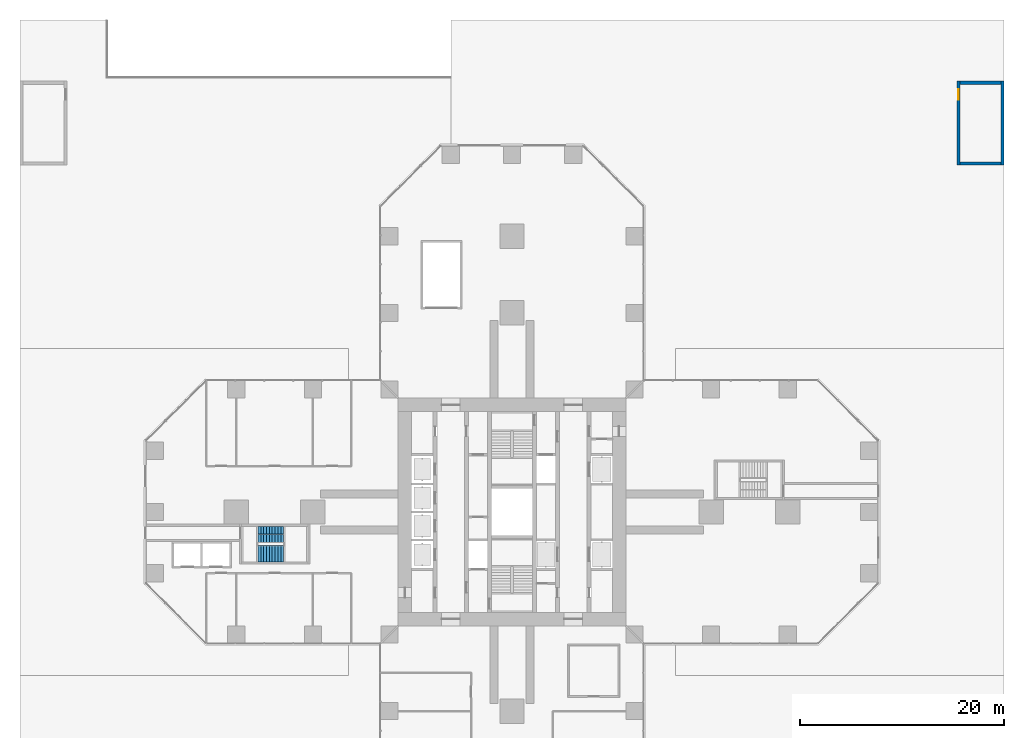
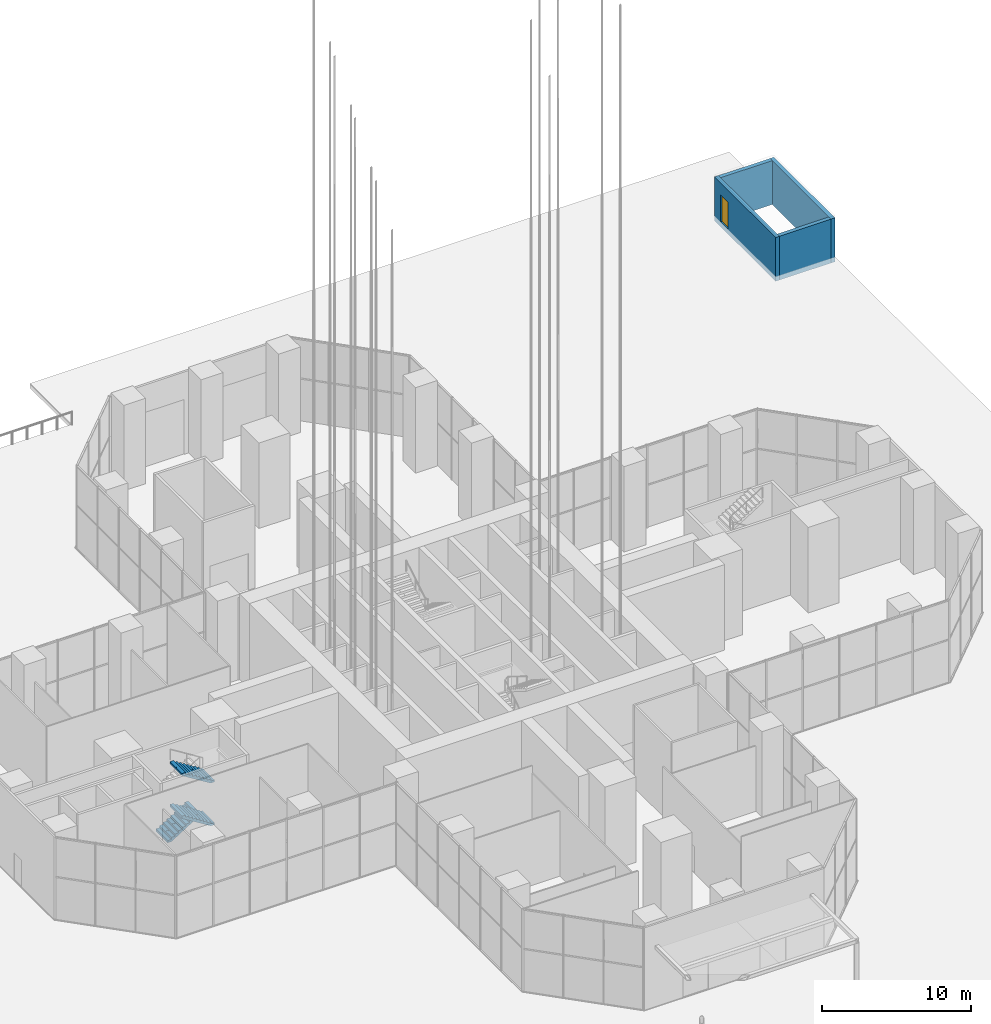
# One storey, part 22 of 43: 4 walls, 3 stair flights, 1 door, 1 opening, 1 element without a shape of its own.
"""IFC4 building model written with IfcOpenShell, lengths in metres."""

from ifc_helpers import new_model, si_unit, direction, frame, frame_2d, origin, place, context, subcontext, project, spatial, polyline, rectangle, outline, extrude, material, layer, layer_set, type_object, element, fill, aggregate, save


model = new_model("IFC4")

# Units and contexts
model_context = context("Model", 3, precision=1e-05, world=origin(), true_north=direction((0.0, 1.0)))
body_context = subcontext(model_context, "Body", "Model", "MODEL_VIEW")
ifc_project = project(units=[si_unit("LENGTHUNIT", "METRE"), si_unit("AREAUNIT", "SQUARE_METRE"), si_unit("VOLUMEUNIT", "CUBIC_METRE"), si_unit("PLANEANGLEUNIT", "RADIAN"), si_unit("MASSUNIT", "GRAM", prefix="KILO")], contexts=[model_context])

# Site, building, storey
site_placement = place(None, origin())
site = spatial("IfcSite", under=ifc_project, at=site_placement, CompositionType="ELEMENT")
building_placement = place(site_placement, origin())
building = spatial("IfcBuilding", under=site, at=building_placement, Name="Mizan Broadcast Tower", CompositionType="ELEMENT")
storey_placement = place(building_placement, origin())
storey = spatial("IfcBuildingStorey", under=building, at=storey_placement, Name="L00", CompositionType="ELEMENT", Elevation=0.0)

# Wall, opening, door
ifc_material_1 = material(Name="Concrete C40/50", Category="concrete")
ifc_layer = layer(ifc_material_1, 0.300048828125)
ifc_layer_set = layer_set([ifc_layer], Name="Concrete C40/50")
wall_type = type_object("IfcWallType", Name="STAIR SHAFT WALL 300 RC", PredefinedType="SOLIDWALL", material=ifc_layer_set)
wall_1_placement = place(storey_placement, frame((43.75, 42.199951171875, -0.39990234375), z_axis=(0.0, 0.0, 1.0), x_axis=(0.0, -1.0, 0.0)))
wall_1 = element("IfcWall", 1, at=wall_1_placement, inside=storey, type_object=wall_type, Name="Stair shaft wall E I", PredefinedType="SOLIDWALL", context=body_context, shape_type="SweptSolid", body=[
    extrude(rectangle(XDim=8.199951171875, YDim=0.300048828125, at=frame_2d((4.10009765625, 0.0))), origin(), (0.0, 0.0, 1.0), 3.599853515625),
])
opening_placement = place(wall_1_placement, frame((0.800048828125, 0.0, 0.39990234375)))
opening = element("IfcOpeningElement", 2, at=opening_placement, cuts=wall_1, Name="Opening XD10S", PredefinedType="OPENING", context=body_context, shape_type="SweptSolid", body=[
    extrude(rectangle(XDim=1.0, YDim=2.199951171875, at=frame_2d((0.5, 1.10009765625))), frame((0.0, 0.159912109375, 0.0), z_axis=(0.0, -1.0, 0.0), x_axis=(1.0, 0.0, 0.0)), (0.0, 0.0, 1.0), 0.320068359375),
])
ifc_material_2 = material(Name="Steel door leaf in steel frame", Category="steel")
door_type = type_object("IfcDoorType", Name="STAIR EXIT DOOR 1000 FD90", OperationType="SINGLE_SWING_LEFT", PredefinedType="DOOR", material=ifc_material_2)
door_placement = place(opening_placement, frame((1.0, 0.0, 0.0), z_axis=(0.0, 0.0, 1.0), x_axis=(-1.0, 0.0, 0.0)))
door = element("IfcDoor", 3, at=door_placement, inside=storey, type_object=door_type, Name="Stair E exit door", OperationType="SINGLE_SWING_RIGHT", OverallHeight=2.199951171875, OverallWidth=1.0, PredefinedType="DOOR", context=body_context, shape_type="SweptSolid", body=[
    extrude(rectangle(XDim=1.0, YDim=2.199951171875, at=frame_2d((0.5, 1.10009765625))), frame((0.0, 0.02490234375, 0.0), z_axis=(0.0, -1.0, 0.0), x_axis=(1.0, 0.0, 0.0)), (0.0, 0.0, 1.0), 0.050048828125),
])
fill(opening, door)

# Walls
wall_2_placement = place(storey_placement, frame((48.050048828125, 34.0, -0.39990234375), z_axis=(0.0, 0.0, 1.0), x_axis=(0.0, 1.0, 0.0)))
element("IfcWall", 4, at=wall_2_placement, inside=storey, type_object=wall_type, Name="Stair shaft wall E O", PredefinedType="SOLIDWALL", context=body_context, shape_type="SweptSolid", body=[
    extrude(rectangle(XDim=8.199951171875, YDim=0.300048828125, at=frame_2d((4.10009765625, 0.0))), origin(), (0.0, 0.0, 1.0), 3.599853515625),
])
for number, where, z_axis, x_axis, name in (
    (5, (43.89990234375, 42.050048828125, -0.39990234375), (0.0, 0.0, 1.0), (1.0, 0.0, 0.0), "Stair shaft wall E D"),
    (6, (47.89990234375, 34.14990234375, -0.39990234375), (0.0, 0.0, 1.0), (-1.0, 0.0, 0.0), "Stair shaft wall E F"),
):
    element("IfcWall", number, at=place(storey_placement, frame(where, z_axis=z_axis, x_axis=x_axis)), inside=storey, type_object=wall_type, Name=name, PredefinedType="SOLIDWALL", context=body_context, shape_type="SweptSolid", body=[
        extrude(rectangle(XDim=4.0, YDim=0.300048828125, at=frame_2d((2.0, 0.0))), origin(), (0.0, 0.0, 1.0), 3.599853515625),
    ])

# Stair, stair flights
ifc_material_3 = material(Name="Concrete C40/50", Category="concrete")
stair_type = type_object("IfcStairType", Name="EXIT STAIR", PredefinedType="HALF_TURN_STAIR", material=ifc_material_3)
stair_placement = place(storey_placement, origin())
stair = element("IfcStair", 7, at=stair_placement, inside=storey, type_object=stair_type, Name="Stair D L00", PredefinedType="HALF_TURN_STAIR")
ifc_material_4 = material(Name="Concrete C40/50", Category="concrete")
stair_flight_type = type_object("IfcStairFlightType", Name="EXIT STAIR FLIGHT", PredefinedType="STRAIGHT", material=ifc_material_4)
stair_flight_1_placement = place(storey_placement, frame((-24.889892578125, -2.205078125, 0.0), z_axis=(0.0, 0.0, 1.0), x_axis=(1.0, 0.0, 0.0)))
stair_flight_1 = element("IfcStairFlight", 8, at=stair_flight_1_placement, type_object=stair_flight_type, Name="D flight 1", NumberOfRisers=10, NumberOfTreads=9, PredefinedType="STRAIGHT", RiserHeight=0.175, TreadLength=0.28, context=body_context, shape_type="SweptSolid", body=[
    extrude(outline(polyline([(0.0, 0.0), (0.0, 0.175048828125), (0.280029296875, 0.175048828125), (0.280029296875, 0.35009765625), (0.56005859375, 0.35009765625), (0.56005859375, 0.52490234375), (0.840087890625, 0.52490234375), (0.840087890625, 0.699951171875), (1.1201171875, 0.699951171875), (1.1201171875, 0.875), (1.39990234375, 0.875), (1.39990234375, 1.050048828125), (1.679931640625, 1.050048828125), (1.679931640625, 1.22509765625), (1.9599609375, 1.22509765625), (1.9599609375, 1.39990234375), (2.239990234375, 1.39990234375), (2.239990234375, 1.574951171875), (2.52001953125, 1.574951171875), (2.52001953125, 1.75), (2.52001953125, 1.398193359375), (0.28271484375, 0.0), (0.0, 0.0)])), frame((0.0, 0.80517578125, 0.0), z_axis=(0.0, -1.0, 0.0), x_axis=(1.0, 0.0, 0.0)), (0.0, 0.0, 1.0), 0.40234375),
    extrude(outline(polyline([(0.0, 0.0), (0.0, 0.175048828125), (0.280029296875, 0.175048828125), (0.280029296875, 0.35009765625), (0.56005859375, 0.35009765625), (0.56005859375, 0.52490234375), (0.840087890625, 0.52490234375), (0.840087890625, 0.699951171875), (1.1201171875, 0.699951171875), (1.1201171875, 0.875), (1.39990234375, 0.875), (1.39990234375, 1.050048828125), (1.679931640625, 1.050048828125), (1.679931640625, 1.22509765625), (1.9599609375, 1.22509765625), (1.9599609375, 1.39990234375), (2.239990234375, 1.39990234375), (2.239990234375, 1.574951171875), (2.52001953125, 1.574951171875), (2.52001953125, 1.75), (2.52001953125, 1.398193359375), (0.28271484375, 0.0), (0.0, 0.0)])), frame((0.0, 0.40234375, 0.0), z_axis=(0.0, -1.0, 0.0), x_axis=(1.0, 0.0, 0.0)), (0.0, 0.0, 1.0), 0.20068359375),
    extrude(outline(polyline([(0.0, 0.0), (0.0, 0.175048828125), (0.280029296875, 0.175048828125), (0.280029296875, 0.35009765625), (0.56005859375, 0.35009765625), (0.56005859375, 0.52490234375), (0.840087890625, 0.52490234375), (0.840087890625, 0.699951171875), (1.1201171875, 0.699951171875), (1.1201171875, 0.875), (1.39990234375, 0.875), (1.39990234375, 1.050048828125), (1.679931640625, 1.050048828125), (1.679931640625, 1.22509765625), (1.9599609375, 1.22509765625), (1.9599609375, 1.39990234375), (2.239990234375, 1.39990234375), (2.239990234375, 1.574951171875), (2.52001953125, 1.574951171875), (2.52001953125, 1.75), (2.52001953125, 1.398193359375), (0.28271484375, 0.0), (0.0, 0.0)])), frame((0.0, 0.201171875, 0.0), z_axis=(0.0, -1.0, 0.0), x_axis=(1.0, 0.0, 0.0)), (0.0, 0.0, 1.0), 0.10009765625),
    extrude(outline(polyline([(0.0, 0.0), (0.0, 0.175048828125), (0.280029296875, 0.175048828125), (0.280029296875, 0.35009765625), (0.56005859375, 0.35009765625), (0.56005859375, 0.52490234375), (0.840087890625, 0.52490234375), (0.840087890625, 0.699951171875), (1.1201171875, 0.699951171875), (1.1201171875, 0.875), (1.39990234375, 0.875), (1.39990234375, 1.050048828125), (1.679931640625, 1.050048828125), (1.679931640625, 1.22509765625), (1.9599609375, 1.22509765625), (1.9599609375, 1.39990234375), (2.239990234375, 1.39990234375), (2.239990234375, 1.574951171875), (2.52001953125, 1.574951171875), (2.52001953125, 1.75), (2.52001953125, 1.398193359375), (0.28271484375, 0.0), (0.0, 0.0)])), frame((0.0, 0.1005859375, 0.0), z_axis=(0.0, -1.0, 0.0), x_axis=(1.0, 0.0, 0.0)), (0.0, 0.0, 1.0), 0.0498046875),
    extrude(outline(polyline([(0.0, 0.0), (0.0, 0.175048828125), (0.280029296875, 0.175048828125), (0.280029296875, 0.35009765625), (0.56005859375, 0.35009765625), (0.56005859375, 0.52490234375), (0.840087890625, 0.52490234375), (0.840087890625, 0.699951171875), (1.1201171875, 0.699951171875), (1.1201171875, 0.875), (1.39990234375, 0.875), (1.39990234375, 1.050048828125), (1.679931640625, 1.050048828125), (1.679931640625, 1.22509765625), (1.9599609375, 1.22509765625), (1.9599609375, 1.39990234375), (2.239990234375, 1.39990234375), (2.239990234375, 1.574951171875), (2.52001953125, 1.574951171875), (2.52001953125, 1.75), (2.52001953125, 1.398193359375), (0.28271484375, 0.0), (0.0, 0.0)])), frame((0.0, 0.05029296875, 0.0), z_axis=(0.0, -1.0, 0.0), x_axis=(1.0, 0.0, 0.0)), (0.0, 0.0, 1.0), 0.024658203125),
    extrude(outline(polyline([(0.0, 0.0), (0.0, 0.175048828125), (0.280029296875, 0.175048828125), (0.280029296875, 0.35009765625), (0.56005859375, 0.35009765625), (0.56005859375, 0.52490234375), (0.840087890625, 0.52490234375), (0.840087890625, 0.699951171875), (1.1201171875, 0.699951171875), (1.1201171875, 0.875), (1.39990234375, 0.875), (1.39990234375, 1.050048828125), (1.679931640625, 1.050048828125), (1.679931640625, 1.22509765625), (1.9599609375, 1.22509765625), (1.9599609375, 1.39990234375), (2.239990234375, 1.39990234375), (2.239990234375, 1.574951171875), (2.52001953125, 1.574951171875), (2.52001953125, 1.75), (2.52001953125, 1.398193359375), (0.28271484375, 0.0), (0.0, 0.0)])), frame((0.0, 0.025146484375, 0.0), z_axis=(0.0, -1.0, 0.0), x_axis=(1.0, 0.0, 0.0)), (0.0, 0.0, 1.0), 0.050048828125),
    extrude(outline(polyline([(0.0, 0.0), (0.0, 0.175048828125), (0.280029296875, 0.175048828125), (0.280029296875, 0.35009765625), (0.56005859375, 0.35009765625), (0.56005859375, 0.52490234375), (0.840087890625, 0.52490234375), (0.840087890625, 0.699951171875), (1.1201171875, 0.699951171875), (1.1201171875, 0.875), (1.39990234375, 0.875), (1.39990234375, 1.050048828125), (1.679931640625, 1.050048828125), (1.679931640625, 1.22509765625), (1.9599609375, 1.22509765625), (1.9599609375, 1.39990234375), (2.239990234375, 1.39990234375), (2.239990234375, 1.574951171875), (2.52001953125, 1.574951171875), (2.52001953125, 1.75), (2.52001953125, 1.398193359375), (0.28271484375, 0.0), (0.0, 0.0)])), frame((0.0, -0.025390625, 0.0), z_axis=(0.0, -1.0, 0.0), x_axis=(1.0, 0.0, 0.0)), (0.0, 0.0, 1.0), 0.024658203125),
    extrude(outline(polyline([(0.0, 0.0), (0.0, 0.175048828125), (0.280029296875, 0.175048828125), (0.280029296875, 0.35009765625), (0.56005859375, 0.35009765625), (0.56005859375, 0.52490234375), (0.840087890625, 0.52490234375), (0.840087890625, 0.699951171875), (1.1201171875, 0.699951171875), (1.1201171875, 0.875), (1.39990234375, 0.875), (1.39990234375, 1.050048828125), (1.679931640625, 1.050048828125), (1.679931640625, 1.22509765625), (1.9599609375, 1.22509765625), (1.9599609375, 1.39990234375), (2.239990234375, 1.39990234375), (2.239990234375, 1.574951171875), (2.52001953125, 1.574951171875), (2.52001953125, 1.75), (2.52001953125, 1.398193359375), (0.28271484375, 0.0), (0.0, 0.0)])), frame((0.0, -0.050537109375, 0.0), z_axis=(0.0, -1.0, 0.0), x_axis=(1.0, 0.0, 0.0)), (0.0, 0.0, 1.0), 0.0498046875),
    extrude(outline(polyline([(0.0, 0.0), (0.0, 0.175048828125), (0.280029296875, 0.175048828125), (0.280029296875, 0.35009765625), (0.56005859375, 0.35009765625), (0.56005859375, 0.52490234375), (0.840087890625, 0.52490234375), (0.840087890625, 0.699951171875), (1.1201171875, 0.699951171875), (1.1201171875, 0.875), (1.39990234375, 0.875), (1.39990234375, 1.050048828125), (1.679931640625, 1.050048828125), (1.679931640625, 1.22509765625), (1.9599609375, 1.22509765625), (1.9599609375, 1.39990234375), (2.239990234375, 1.39990234375), (2.239990234375, 1.574951171875), (2.52001953125, 1.574951171875), (2.52001953125, 1.75), (2.52001953125, 1.398193359375), (0.28271484375, 0.0), (0.0, 0.0)])), frame((0.0, -0.100830078125, 0.0), z_axis=(0.0, -1.0, 0.0), x_axis=(1.0, 0.0, 0.0)), (0.0, 0.0, 1.0), 0.10009765625),
    extrude(outline(polyline([(0.0, 0.0), (0.0, 0.175048828125), (0.280029296875, 0.175048828125), (0.280029296875, 0.35009765625), (0.56005859375, 0.35009765625), (0.56005859375, 0.52490234375), (0.840087890625, 0.52490234375), (0.840087890625, 0.699951171875), (1.1201171875, 0.699951171875), (1.1201171875, 0.875), (1.39990234375, 0.875), (1.39990234375, 1.050048828125), (1.679931640625, 1.050048828125), (1.679931640625, 1.22509765625), (1.9599609375, 1.22509765625), (1.9599609375, 1.39990234375), (2.239990234375, 1.39990234375), (2.239990234375, 1.574951171875), (2.52001953125, 1.574951171875), (2.52001953125, 1.75), (2.52001953125, 1.398193359375), (0.28271484375, 0.0), (0.0, 0.0)])), frame((0.0, -0.201416015625, 0.0), z_axis=(0.0, -1.0, 0.0), x_axis=(1.0, 0.0, 0.0)), (0.0, 0.0, 1.0), 0.20068359375),
    extrude(outline(polyline([(0.0, 0.0), (0.0, 0.175048828125), (0.280029296875, 0.175048828125), (0.280029296875, 0.35009765625), (0.56005859375, 0.35009765625), (0.56005859375, 0.52490234375), (0.840087890625, 0.52490234375), (0.840087890625, 0.699951171875), (1.1201171875, 0.699951171875), (1.1201171875, 0.875), (1.39990234375, 0.875), (1.39990234375, 1.050048828125), (1.679931640625, 1.050048828125), (1.679931640625, 1.22509765625), (1.9599609375, 1.22509765625), (1.9599609375, 1.39990234375), (2.239990234375, 1.39990234375), (2.239990234375, 1.574951171875), (2.52001953125, 1.574951171875), (2.52001953125, 1.75), (2.52001953125, 1.398193359375), (0.28271484375, 0.0), (0.0, 0.0)])), frame((0.0, -0.402587890625, 0.0), z_axis=(0.0, -1.0, 0.0), x_axis=(1.0, 0.0, 0.0)), (0.0, 0.0, 1.0), 0.40234375),
])
stair_flight_2_placement = place(storey_placement, frame((-22.3701171875, -4.094970703125, 1.75), z_axis=(0.0, 0.0, 1.0), x_axis=(-1.0, 0.0, 0.0)))
stair_flight_2 = element("IfcStairFlight", 9, at=stair_flight_2_placement, type_object=stair_flight_type, Name="D flight 2", NumberOfRisers=10, NumberOfTreads=9, PredefinedType="STRAIGHT", RiserHeight=0.175, TreadLength=0.28, context=body_context, shape_type="SweptSolid", body=[
    extrude(outline(polyline([(0.0, 0.0), (0.0, 0.175048828125), (0.280029296875, 0.175048828125), (0.280029296875, 0.35009765625), (0.56005859375, 0.35009765625), (0.56005859375, 0.52490234375), (0.840087890625, 0.52490234375), (0.840087890625, 0.699951171875), (1.1201171875, 0.699951171875), (1.1201171875, 0.875), (1.39990234375, 0.875), (1.39990234375, 1.050048828125), (1.679931640625, 1.050048828125), (1.679931640625, 1.22509765625), (1.9599609375, 1.22509765625), (1.9599609375, 1.39990234375), (2.239990234375, 1.39990234375), (2.239990234375, 1.574951171875), (2.52001953125, 1.574951171875), (2.52001953125, 1.75), (2.52001953125, 1.398193359375), (0.28271484375, 0.0), (0.0, 0.0)])), frame((0.0, 0.80517578125, 0.0), z_axis=(0.0, -1.0, 0.0), x_axis=(1.0, 0.0, 0.0)), (0.0, 0.0, 1.0), 0.40234375),
    extrude(outline(polyline([(0.0, 0.0), (0.0, 0.175048828125), (0.280029296875, 0.175048828125), (0.280029296875, 0.35009765625), (0.56005859375, 0.35009765625), (0.56005859375, 0.52490234375), (0.840087890625, 0.52490234375), (0.840087890625, 0.699951171875), (1.1201171875, 0.699951171875), (1.1201171875, 0.875), (1.39990234375, 0.875), (1.39990234375, 1.050048828125), (1.679931640625, 1.050048828125), (1.679931640625, 1.22509765625), (1.9599609375, 1.22509765625), (1.9599609375, 1.39990234375), (2.239990234375, 1.39990234375), (2.239990234375, 1.574951171875), (2.52001953125, 1.574951171875), (2.52001953125, 1.75), (2.52001953125, 1.398193359375), (0.28271484375, 0.0), (0.0, 0.0)])), frame((0.0, 0.40234375, 0.0), z_axis=(0.0, -1.0, 0.0), x_axis=(1.0, 0.0, 0.0)), (0.0, 0.0, 1.0), 0.20068359375),
    extrude(outline(polyline([(0.0, 0.0), (0.0, 0.175048828125), (0.280029296875, 0.175048828125), (0.280029296875, 0.35009765625), (0.56005859375, 0.35009765625), (0.56005859375, 0.52490234375), (0.840087890625, 0.52490234375), (0.840087890625, 0.699951171875), (1.1201171875, 0.699951171875), (1.1201171875, 0.875), (1.39990234375, 0.875), (1.39990234375, 1.050048828125), (1.679931640625, 1.050048828125), (1.679931640625, 1.22509765625), (1.9599609375, 1.22509765625), (1.9599609375, 1.39990234375), (2.239990234375, 1.39990234375), (2.239990234375, 1.574951171875), (2.52001953125, 1.574951171875), (2.52001953125, 1.75), (2.52001953125, 1.398193359375), (0.28271484375, 0.0), (0.0, 0.0)])), frame((0.0, 0.201171875, 0.0), z_axis=(0.0, -1.0, 0.0), x_axis=(1.0, 0.0, 0.0)), (0.0, 0.0, 1.0), 0.10009765625),
    extrude(outline(polyline([(0.0, 0.0), (0.0, 0.175048828125), (0.280029296875, 0.175048828125), (0.280029296875, 0.35009765625), (0.56005859375, 0.35009765625), (0.56005859375, 0.52490234375), (0.840087890625, 0.52490234375), (0.840087890625, 0.699951171875), (1.1201171875, 0.699951171875), (1.1201171875, 0.875), (1.39990234375, 0.875), (1.39990234375, 1.050048828125), (1.679931640625, 1.050048828125), (1.679931640625, 1.22509765625), (1.9599609375, 1.22509765625), (1.9599609375, 1.39990234375), (2.239990234375, 1.39990234375), (2.239990234375, 1.574951171875), (2.52001953125, 1.574951171875), (2.52001953125, 1.75), (2.52001953125, 1.398193359375), (0.28271484375, 0.0), (0.0, 0.0)])), frame((0.0, 0.1005859375, 0.0), z_axis=(0.0, -1.0, 0.0), x_axis=(1.0, 0.0, 0.0)), (0.0, 0.0, 1.0), 0.0498046875),
    extrude(outline(polyline([(0.0, 0.0), (0.0, 0.175048828125), (0.280029296875, 0.175048828125), (0.280029296875, 0.35009765625), (0.56005859375, 0.35009765625), (0.56005859375, 0.52490234375), (0.840087890625, 0.52490234375), (0.840087890625, 0.699951171875), (1.1201171875, 0.699951171875), (1.1201171875, 0.875), (1.39990234375, 0.875), (1.39990234375, 1.050048828125), (1.679931640625, 1.050048828125), (1.679931640625, 1.22509765625), (1.9599609375, 1.22509765625), (1.9599609375, 1.39990234375), (2.239990234375, 1.39990234375), (2.239990234375, 1.574951171875), (2.52001953125, 1.574951171875), (2.52001953125, 1.75), (2.52001953125, 1.398193359375), (0.28271484375, 0.0), (0.0, 0.0)])), frame((0.0, 0.05029296875, 0.0), z_axis=(0.0, -1.0, 0.0), x_axis=(1.0, 0.0, 0.0)), (0.0, 0.0, 1.0), 0.024658203125),
    extrude(outline(polyline([(0.0, 0.0), (0.0, 0.175048828125), (0.280029296875, 0.175048828125), (0.280029296875, 0.35009765625), (0.56005859375, 0.35009765625), (0.56005859375, 0.52490234375), (0.840087890625, 0.52490234375), (0.840087890625, 0.699951171875), (1.1201171875, 0.699951171875), (1.1201171875, 0.875), (1.39990234375, 0.875), (1.39990234375, 1.050048828125), (1.679931640625, 1.050048828125), (1.679931640625, 1.22509765625), (1.9599609375, 1.22509765625), (1.9599609375, 1.39990234375), (2.239990234375, 1.39990234375), (2.239990234375, 1.574951171875), (2.52001953125, 1.574951171875), (2.52001953125, 1.75), (2.52001953125, 1.398193359375), (0.28271484375, 0.0), (0.0, 0.0)])), frame((0.0, 0.025146484375, 0.0), z_axis=(0.0, -1.0, 0.0), x_axis=(1.0, 0.0, 0.0)), (0.0, 0.0, 1.0), 0.050048828125),
    extrude(outline(polyline([(0.0, 0.0), (0.0, 0.175048828125), (0.280029296875, 0.175048828125), (0.280029296875, 0.35009765625), (0.56005859375, 0.35009765625), (0.56005859375, 0.52490234375), (0.840087890625, 0.52490234375), (0.840087890625, 0.699951171875), (1.1201171875, 0.699951171875), (1.1201171875, 0.875), (1.39990234375, 0.875), (1.39990234375, 1.050048828125), (1.679931640625, 1.050048828125), (1.679931640625, 1.22509765625), (1.9599609375, 1.22509765625), (1.9599609375, 1.39990234375), (2.239990234375, 1.39990234375), (2.239990234375, 1.574951171875), (2.52001953125, 1.574951171875), (2.52001953125, 1.75), (2.52001953125, 1.398193359375), (0.28271484375, 0.0), (0.0, 0.0)])), frame((0.0, -0.025390625, 0.0), z_axis=(0.0, -1.0, 0.0), x_axis=(1.0, 0.0, 0.0)), (0.0, 0.0, 1.0), 0.024658203125),
    extrude(outline(polyline([(0.0, 0.0), (0.0, 0.175048828125), (0.280029296875, 0.175048828125), (0.280029296875, 0.35009765625), (0.56005859375, 0.35009765625), (0.56005859375, 0.52490234375), (0.840087890625, 0.52490234375), (0.840087890625, 0.699951171875), (1.1201171875, 0.699951171875), (1.1201171875, 0.875), (1.39990234375, 0.875), (1.39990234375, 1.050048828125), (1.679931640625, 1.050048828125), (1.679931640625, 1.22509765625), (1.9599609375, 1.22509765625), (1.9599609375, 1.39990234375), (2.239990234375, 1.39990234375), (2.239990234375, 1.574951171875), (2.52001953125, 1.574951171875), (2.52001953125, 1.75), (2.52001953125, 1.398193359375), (0.28271484375, 0.0), (0.0, 0.0)])), frame((0.0, -0.050537109375, 0.0), z_axis=(0.0, -1.0, 0.0), x_axis=(1.0, 0.0, 0.0)), (0.0, 0.0, 1.0), 0.0498046875),
    extrude(outline(polyline([(0.0, 0.0), (0.0, 0.175048828125), (0.280029296875, 0.175048828125), (0.280029296875, 0.35009765625), (0.56005859375, 0.35009765625), (0.56005859375, 0.52490234375), (0.840087890625, 0.52490234375), (0.840087890625, 0.699951171875), (1.1201171875, 0.699951171875), (1.1201171875, 0.875), (1.39990234375, 0.875), (1.39990234375, 1.050048828125), (1.679931640625, 1.050048828125), (1.679931640625, 1.22509765625), (1.9599609375, 1.22509765625), (1.9599609375, 1.39990234375), (2.239990234375, 1.39990234375), (2.239990234375, 1.574951171875), (2.52001953125, 1.574951171875), (2.52001953125, 1.75), (2.52001953125, 1.398193359375), (0.28271484375, 0.0), (0.0, 0.0)])), frame((0.0, -0.100830078125, 0.0), z_axis=(0.0, -1.0, 0.0), x_axis=(1.0, 0.0, 0.0)), (0.0, 0.0, 1.0), 0.10009765625),
    extrude(outline(polyline([(0.0, 0.0), (0.0, 0.175048828125), (0.280029296875, 0.175048828125), (0.280029296875, 0.35009765625), (0.56005859375, 0.35009765625), (0.56005859375, 0.52490234375), (0.840087890625, 0.52490234375), (0.840087890625, 0.699951171875), (1.1201171875, 0.699951171875), (1.1201171875, 0.875), (1.39990234375, 0.875), (1.39990234375, 1.050048828125), (1.679931640625, 1.050048828125), (1.679931640625, 1.22509765625), (1.9599609375, 1.22509765625), (1.9599609375, 1.39990234375), (2.239990234375, 1.39990234375), (2.239990234375, 1.574951171875), (2.52001953125, 1.574951171875), (2.52001953125, 1.75), (2.52001953125, 1.398193359375), (0.28271484375, 0.0), (0.0, 0.0)])), frame((0.0, -0.201416015625, 0.0), z_axis=(0.0, -1.0, 0.0), x_axis=(1.0, 0.0, 0.0)), (0.0, 0.0, 1.0), 0.20068359375),
    extrude(outline(polyline([(0.0, 0.0), (0.0, 0.175048828125), (0.280029296875, 0.175048828125), (0.280029296875, 0.35009765625), (0.56005859375, 0.35009765625), (0.56005859375, 0.52490234375), (0.840087890625, 0.52490234375), (0.840087890625, 0.699951171875), (1.1201171875, 0.699951171875), (1.1201171875, 0.875), (1.39990234375, 0.875), (1.39990234375, 1.050048828125), (1.679931640625, 1.050048828125), (1.679931640625, 1.22509765625), (1.9599609375, 1.22509765625), (1.9599609375, 1.39990234375), (2.239990234375, 1.39990234375), (2.239990234375, 1.574951171875), (2.52001953125, 1.574951171875), (2.52001953125, 1.75), (2.52001953125, 1.398193359375), (0.28271484375, 0.0), (0.0, 0.0)])), frame((0.0, -0.402587890625, 0.0), z_axis=(0.0, -1.0, 0.0), x_axis=(1.0, 0.0, 0.0)), (0.0, 0.0, 1.0), 0.40234375),
])
stair_flight_3_placement = place(storey_placement, frame((-22.3701171875, -4.094970703125, 5.25), z_axis=(0.0, 0.0, 1.0), x_axis=(-1.0, 0.0, 0.0)))
stair_flight_3 = element("IfcStairFlight", 10, at=stair_flight_3_placement, type_object=stair_flight_type, Name="D flight 4", NumberOfRisers=10, NumberOfTreads=9, PredefinedType="STRAIGHT", RiserHeight=0.175, TreadLength=0.28, context=body_context, shape_type="SweptSolid", body=[
    extrude(outline(polyline([(0.0, 0.0), (0.0, 0.175048828125), (0.280029296875, 0.175048828125), (0.280029296875, 0.35009765625), (0.56005859375, 0.35009765625), (0.56005859375, 0.52490234375), (0.840087890625, 0.52490234375), (0.840087890625, 0.699951171875), (1.1201171875, 0.699951171875), (1.1201171875, 0.875), (1.39990234375, 0.875), (1.39990234375, 1.050048828125), (1.679931640625, 1.050048828125), (1.679931640625, 1.22509765625), (1.9599609375, 1.22509765625), (1.9599609375, 1.39990234375), (2.239990234375, 1.39990234375), (2.239990234375, 1.574951171875), (2.52001953125, 1.574951171875), (2.52001953125, 1.75), (2.52001953125, 1.398193359375), (0.28271484375, 0.0), (0.0, 0.0)])), frame((0.0, 0.80517578125, 0.0), z_axis=(0.0, -1.0, 0.0), x_axis=(1.0, 0.0, 0.0)), (0.0, 0.0, 1.0), 0.40234375),
    extrude(outline(polyline([(0.0, 0.0), (0.0, 0.175048828125), (0.280029296875, 0.175048828125), (0.280029296875, 0.35009765625), (0.56005859375, 0.35009765625), (0.56005859375, 0.52490234375), (0.840087890625, 0.52490234375), (0.840087890625, 0.699951171875), (1.1201171875, 0.699951171875), (1.1201171875, 0.875), (1.39990234375, 0.875), (1.39990234375, 1.050048828125), (1.679931640625, 1.050048828125), (1.679931640625, 1.22509765625), (1.9599609375, 1.22509765625), (1.9599609375, 1.39990234375), (2.239990234375, 1.39990234375), (2.239990234375, 1.574951171875), (2.52001953125, 1.574951171875), (2.52001953125, 1.75), (2.52001953125, 1.398193359375), (0.28271484375, 0.0), (0.0, 0.0)])), frame((0.0, 0.40234375, 0.0), z_axis=(0.0, -1.0, 0.0), x_axis=(1.0, 0.0, 0.0)), (0.0, 0.0, 1.0), 0.20068359375),
    extrude(outline(polyline([(0.0, 0.0), (0.0, 0.175048828125), (0.280029296875, 0.175048828125), (0.280029296875, 0.35009765625), (0.56005859375, 0.35009765625), (0.56005859375, 0.52490234375), (0.840087890625, 0.52490234375), (0.840087890625, 0.699951171875), (1.1201171875, 0.699951171875), (1.1201171875, 0.875), (1.39990234375, 0.875), (1.39990234375, 1.050048828125), (1.679931640625, 1.050048828125), (1.679931640625, 1.22509765625), (1.9599609375, 1.22509765625), (1.9599609375, 1.39990234375), (2.239990234375, 1.39990234375), (2.239990234375, 1.574951171875), (2.52001953125, 1.574951171875), (2.52001953125, 1.75), (2.52001953125, 1.398193359375), (0.28271484375, 0.0), (0.0, 0.0)])), frame((0.0, 0.201171875, 0.0), z_axis=(0.0, -1.0, 0.0), x_axis=(1.0, 0.0, 0.0)), (0.0, 0.0, 1.0), 0.10009765625),
    extrude(outline(polyline([(0.0, 0.0), (0.0, 0.175048828125), (0.280029296875, 0.175048828125), (0.280029296875, 0.35009765625), (0.56005859375, 0.35009765625), (0.56005859375, 0.52490234375), (0.840087890625, 0.52490234375), (0.840087890625, 0.699951171875), (1.1201171875, 0.699951171875), (1.1201171875, 0.875), (1.39990234375, 0.875), (1.39990234375, 1.050048828125), (1.679931640625, 1.050048828125), (1.679931640625, 1.22509765625), (1.9599609375, 1.22509765625), (1.9599609375, 1.39990234375), (2.239990234375, 1.39990234375), (2.239990234375, 1.574951171875), (2.52001953125, 1.574951171875), (2.52001953125, 1.75), (2.52001953125, 1.398193359375), (0.28271484375, 0.0), (0.0, 0.0)])), frame((0.0, 0.1005859375, 0.0), z_axis=(0.0, -1.0, 0.0), x_axis=(1.0, 0.0, 0.0)), (0.0, 0.0, 1.0), 0.0498046875),
    extrude(outline(polyline([(0.0, 0.0), (0.0, 0.175048828125), (0.280029296875, 0.175048828125), (0.280029296875, 0.35009765625), (0.56005859375, 0.35009765625), (0.56005859375, 0.52490234375), (0.840087890625, 0.52490234375), (0.840087890625, 0.699951171875), (1.1201171875, 0.699951171875), (1.1201171875, 0.875), (1.39990234375, 0.875), (1.39990234375, 1.050048828125), (1.679931640625, 1.050048828125), (1.679931640625, 1.22509765625), (1.9599609375, 1.22509765625), (1.9599609375, 1.39990234375), (2.239990234375, 1.39990234375), (2.239990234375, 1.574951171875), (2.52001953125, 1.574951171875), (2.52001953125, 1.75), (2.52001953125, 1.398193359375), (0.28271484375, 0.0), (0.0, 0.0)])), frame((0.0, 0.05029296875, 0.0), z_axis=(0.0, -1.0, 0.0), x_axis=(1.0, 0.0, 0.0)), (0.0, 0.0, 1.0), 0.024658203125),
    extrude(outline(polyline([(0.0, 0.0), (0.0, 0.175048828125), (0.280029296875, 0.175048828125), (0.280029296875, 0.35009765625), (0.56005859375, 0.35009765625), (0.56005859375, 0.52490234375), (0.840087890625, 0.52490234375), (0.840087890625, 0.699951171875), (1.1201171875, 0.699951171875), (1.1201171875, 0.875), (1.39990234375, 0.875), (1.39990234375, 1.050048828125), (1.679931640625, 1.050048828125), (1.679931640625, 1.22509765625), (1.9599609375, 1.22509765625), (1.9599609375, 1.39990234375), (2.239990234375, 1.39990234375), (2.239990234375, 1.574951171875), (2.52001953125, 1.574951171875), (2.52001953125, 1.75), (2.52001953125, 1.398193359375), (0.28271484375, 0.0), (0.0, 0.0)])), frame((0.0, 0.025146484375, 0.0), z_axis=(0.0, -1.0, 0.0), x_axis=(1.0, 0.0, 0.0)), (0.0, 0.0, 1.0), 0.050048828125),
    extrude(outline(polyline([(0.0, 0.0), (0.0, 0.175048828125), (0.280029296875, 0.175048828125), (0.280029296875, 0.35009765625), (0.56005859375, 0.35009765625), (0.56005859375, 0.52490234375), (0.840087890625, 0.52490234375), (0.840087890625, 0.699951171875), (1.1201171875, 0.699951171875), (1.1201171875, 0.875), (1.39990234375, 0.875), (1.39990234375, 1.050048828125), (1.679931640625, 1.050048828125), (1.679931640625, 1.22509765625), (1.9599609375, 1.22509765625), (1.9599609375, 1.39990234375), (2.239990234375, 1.39990234375), (2.239990234375, 1.574951171875), (2.52001953125, 1.574951171875), (2.52001953125, 1.75), (2.52001953125, 1.398193359375), (0.28271484375, 0.0), (0.0, 0.0)])), frame((0.0, -0.025390625, 0.0), z_axis=(0.0, -1.0, 0.0), x_axis=(1.0, 0.0, 0.0)), (0.0, 0.0, 1.0), 0.024658203125),
    extrude(outline(polyline([(0.0, 0.0), (0.0, 0.175048828125), (0.280029296875, 0.175048828125), (0.280029296875, 0.35009765625), (0.56005859375, 0.35009765625), (0.56005859375, 0.52490234375), (0.840087890625, 0.52490234375), (0.840087890625, 0.699951171875), (1.1201171875, 0.699951171875), (1.1201171875, 0.875), (1.39990234375, 0.875), (1.39990234375, 1.050048828125), (1.679931640625, 1.050048828125), (1.679931640625, 1.22509765625), (1.9599609375, 1.22509765625), (1.9599609375, 1.39990234375), (2.239990234375, 1.39990234375), (2.239990234375, 1.574951171875), (2.52001953125, 1.574951171875), (2.52001953125, 1.75), (2.52001953125, 1.398193359375), (0.28271484375, 0.0), (0.0, 0.0)])), frame((0.0, -0.050537109375, 0.0), z_axis=(0.0, -1.0, 0.0), x_axis=(1.0, 0.0, 0.0)), (0.0, 0.0, 1.0), 0.0498046875),
    extrude(outline(polyline([(0.0, 0.0), (0.0, 0.175048828125), (0.280029296875, 0.175048828125), (0.280029296875, 0.35009765625), (0.56005859375, 0.35009765625), (0.56005859375, 0.52490234375), (0.840087890625, 0.52490234375), (0.840087890625, 0.699951171875), (1.1201171875, 0.699951171875), (1.1201171875, 0.875), (1.39990234375, 0.875), (1.39990234375, 1.050048828125), (1.679931640625, 1.050048828125), (1.679931640625, 1.22509765625), (1.9599609375, 1.22509765625), (1.9599609375, 1.39990234375), (2.239990234375, 1.39990234375), (2.239990234375, 1.574951171875), (2.52001953125, 1.574951171875), (2.52001953125, 1.75), (2.52001953125, 1.398193359375), (0.28271484375, 0.0), (0.0, 0.0)])), frame((0.0, -0.100830078125, 0.0), z_axis=(0.0, -1.0, 0.0), x_axis=(1.0, 0.0, 0.0)), (0.0, 0.0, 1.0), 0.10009765625),
    extrude(outline(polyline([(0.0, 0.0), (0.0, 0.175048828125), (0.280029296875, 0.175048828125), (0.280029296875, 0.35009765625), (0.56005859375, 0.35009765625), (0.56005859375, 0.52490234375), (0.840087890625, 0.52490234375), (0.840087890625, 0.699951171875), (1.1201171875, 0.699951171875), (1.1201171875, 0.875), (1.39990234375, 0.875), (1.39990234375, 1.050048828125), (1.679931640625, 1.050048828125), (1.679931640625, 1.22509765625), (1.9599609375, 1.22509765625), (1.9599609375, 1.39990234375), (2.239990234375, 1.39990234375), (2.239990234375, 1.574951171875), (2.52001953125, 1.574951171875), (2.52001953125, 1.75), (2.52001953125, 1.398193359375), (0.28271484375, 0.0), (0.0, 0.0)])), frame((0.0, -0.201416015625, 0.0), z_axis=(0.0, -1.0, 0.0), x_axis=(1.0, 0.0, 0.0)), (0.0, 0.0, 1.0), 0.20068359375),
    extrude(outline(polyline([(0.0, 0.0), (0.0, 0.175048828125), (0.280029296875, 0.175048828125), (0.280029296875, 0.35009765625), (0.56005859375, 0.35009765625), (0.56005859375, 0.52490234375), (0.840087890625, 0.52490234375), (0.840087890625, 0.699951171875), (1.1201171875, 0.699951171875), (1.1201171875, 0.875), (1.39990234375, 0.875), (1.39990234375, 1.050048828125), (1.679931640625, 1.050048828125), (1.679931640625, 1.22509765625), (1.9599609375, 1.22509765625), (1.9599609375, 1.39990234375), (2.239990234375, 1.39990234375), (2.239990234375, 1.574951171875), (2.52001953125, 1.574951171875), (2.52001953125, 1.75), (2.52001953125, 1.398193359375), (0.28271484375, 0.0), (0.0, 0.0)])), frame((0.0, -0.402587890625, 0.0), z_axis=(0.0, -1.0, 0.0), x_axis=(1.0, 0.0, 0.0)), (0.0, 0.0, 1.0), 0.40234375),
])
aggregate(stair, [stair_flight_1, stair_flight_2, stair_flight_3])

save(model, "model.ifc")
